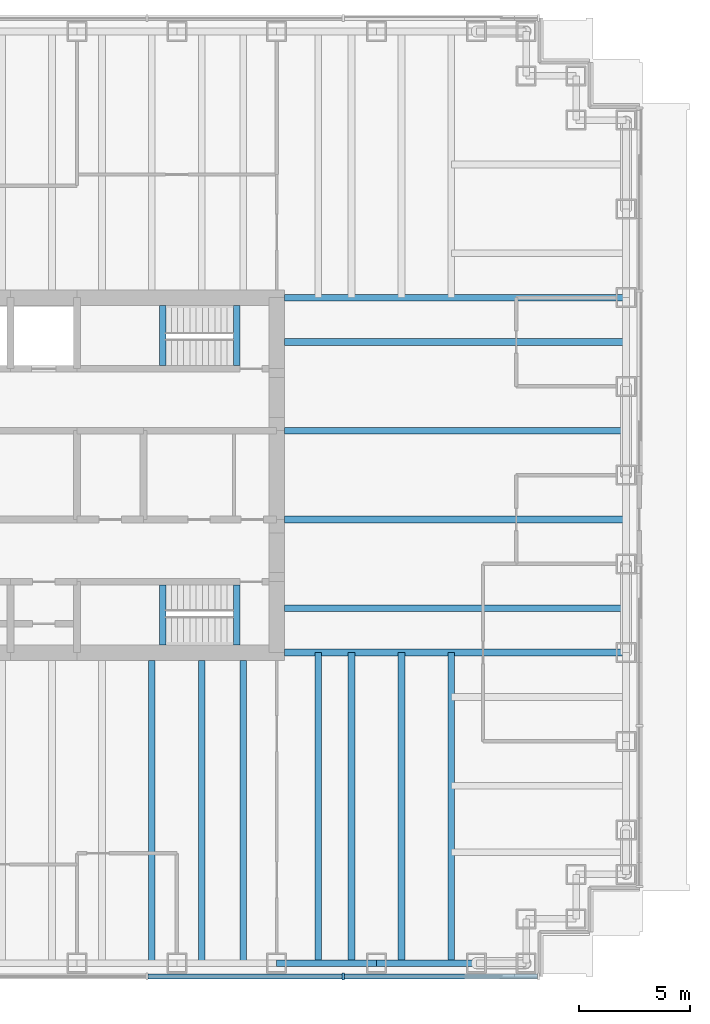
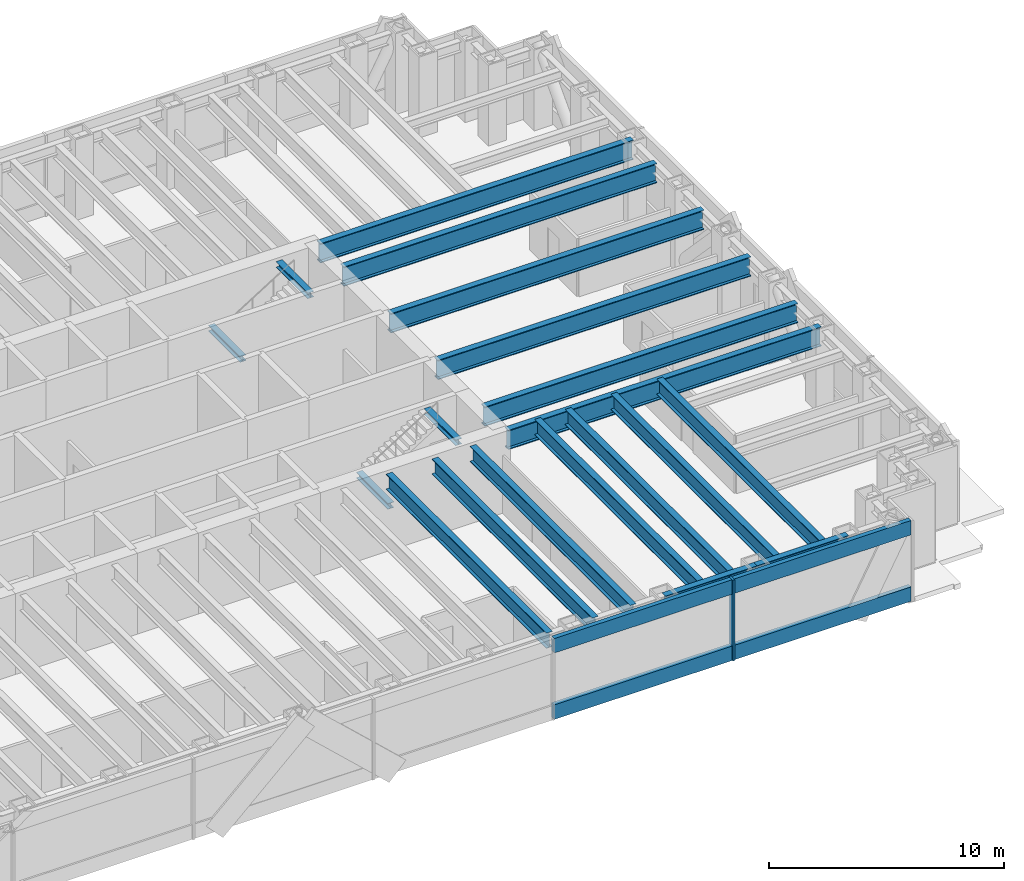
# One storey, part 3 of 12: 19 beams, 5 members, 1 element without a shape of its own.
"""IFC4 building model written with IfcOpenShell, lengths in metres."""

import ifcopenshell
import ifcopenshell.guid

model = None  # the IFC model being written
_history = None  # IfcOwnerHistory: only IFC2X3 demands one
_inside = {}  # id of a spatial element -> (the spatial element, [elements in it])
_under = {}  # id of a project, library or spatial element -> (it, [spatial elements below it])
_declared = {}  # id of a project -> (the project, [libraries it declares])
_typed = {}  # id of a type object -> (the type object, [elements of that type])
_made_of = {}  # id of a material, layer set ... -> (it, [elements and type objects made of it])


def new_model(schema):
    """Start an empty IFC model of exactly this schema.

    Asked for "IFC4X3", IfcOpenShell would pick the latest addendum, in which some entities
    have other attributes; the version numbers below select the first issue.
    IFC2X3 requires an IfcOwnerHistory on every rooted entity: one is made here for all.
    """
    global model, _history
    if schema == "IFC4X3":
        model = ifcopenshell.file(schema_version=(4, 3, 0, 0))
    else:
        model = ifcopenshell.file(schema=schema)
    _inside.clear()
    _under.clear()
    _declared.clear()
    _typed.clear()
    _made_of.clear()
    _history = None
    if model.schema == "IFC2X3":
        org = make("IfcOrganization", Name="unknown")
        user = make(
            "IfcPersonAndOrganization",
            ThePerson=make("IfcPerson", FamilyName="unknown"),
            TheOrganization=org,
        )
        app = make(
            "IfcApplication",
            ApplicationDeveloper=org,
            Version="unknown",
            ApplicationFullName="unknown",
            ApplicationIdentifier="unknown",
        )
        _history = make(
            "IfcOwnerHistory",
            OwningUser=user,
            OwningApplication=app,
            ChangeAction="ADDED",
            CreationDate=0,
        )
    return model


def make(cls, **values):
    """One entity of the class cls with the attributes given. An attribute that is None is left unset."""
    return model.create_entity(
        cls, **{name: value for name, value in values.items() if value is not None}
    )


def rooted(cls, **values):
    """An entity with a GlobalId (a new one), such as an element, a storey or a relation."""
    return make(cls, GlobalId=ifcopenshell.guid.new(), OwnerHistory=_history, **values)


def si_unit(unit_type, name, prefix=None):
    """IfcSIUnit, for example si_unit("LENGTHUNIT", "METRE", prefix="MILLI")."""
    return make("IfcSIUnit", UnitType=unit_type, Prefix=prefix, Name=name)


def assignment(units):
    """IfcUnitAssignment: the units of a project."""
    return None if units is None else make("IfcUnitAssignment", Units=units)


def point(xyz):
    """IfcCartesianPoint."""
    return None if xyz is None else make("IfcCartesianPoint", Coordinates=xyz)


def direction(xyz):
    """IfcDirection."""
    return None if xyz is None else make("IfcDirection", DirectionRatios=xyz)


def frame(location, z_axis=None, x_axis=None):
    """IfcAxis2Placement3D, a coordinate frame: its origin and axes. An axis left out is left unset."""
    return make(
        "IfcAxis2Placement3D",
        Location=point(location),
        Axis=direction(z_axis),
        RefDirection=direction(x_axis),
    )


def frame_2d(location, x_axis=None):
    """IfcAxis2Placement2D, a coordinate frame in the plane: its origin and x axis."""
    return make(
        "IfcAxis2Placement2D", Location=point(location), RefDirection=direction(x_axis)
    )


def origin():
    """The frame at (0, 0, 0) with its axes left unset."""
    return frame((0.0, 0.0, 0.0))


def origin_2d():
    """The frame at (0, 0) in the plane with its x axis left unset."""
    return frame_2d((0.0, 0.0))


def place(relative_to, where):
    """IfcLocalPlacement: puts the frame where relative to a parent placement (None: the world)."""
    return make(
        "IfcLocalPlacement", PlacementRelTo=relative_to, RelativePlacement=where
    )


def context(
    kind, dimensions, precision=None, world=None, true_north=None, identifier=None
):
    """IfcGeometricRepresentationContext, for example the 3D "Model" context."""
    return make(
        "IfcGeometricRepresentationContext",
        ContextIdentifier=identifier,
        ContextType=kind,
        CoordinateSpaceDimension=dimensions,
        Precision=precision,
        WorldCoordinateSystem=world,
        TrueNorth=true_north,
    )


def subcontext(parent, identifier, kind, view, scale=None):
    """IfcGeometricRepresentationSubContext, for example "Body" below "Model"."""
    return make(
        "IfcGeometricRepresentationSubContext",
        ContextIdentifier=identifier,
        ContextType=kind,
        ParentContext=parent,
        TargetScale=scale,
        TargetView=view,
    )


def project(units=None, contexts=None):
    """IfcProject with its units and contexts."""
    return rooted(
        "IfcProject",
        Name="project",
        RepresentationContexts=contexts,
        UnitsInContext=assignment(units),
    )


def spatial(cls, under=None, at=None, **own):
    """A site, building, storey or space (cls), placed at a placement, below another one or the project."""
    s = rooted(cls, ObjectPlacement=at, **own)
    if under is not None:
        _under.setdefault(under.id(), (under, []))[1].append(s)
    return s


def profile(cls, at=None, kind="AREA", **sizes):
    """A parametric profile (cls). Its sizes go by their IFC names, for example OverallWidth=200.0."""
    return make(cls, ProfileType=kind, Position=at, **sizes)


def rectangle(**sizes):
    """IfcRectangleProfileDef."""
    return profile("IfcRectangleProfileDef", **sizes)


def i_section(**sizes):
    """IfcIShapeProfileDef."""
    return profile("IfcIShapeProfileDef", **sizes)


def extrude(swept, where, along, depth):
    """IfcExtrudedAreaSolid: the profile swept, set in the frame where, extruded along a direction by depth."""
    return make(
        "IfcExtrudedAreaSolid",
        SweptArea=swept,
        Position=where,
        ExtrudedDirection=direction(along),
        Depth=depth,
    )


def shape(context_of_items, identifier, shape_type, items):
    """IfcShapeRepresentation: the items that make up one representation, for example the "Body"."""
    return make(
        "IfcShapeRepresentation",
        ContextOfItems=context_of_items,
        RepresentationIdentifier=identifier,
        RepresentationType=shape_type,
        Items=items,
    )


def material(Name=None, Category=None):
    """IfcMaterial."""
    return make("IfcMaterial", Name=Name, Category=Category)


def material_profile(
    of_material, cross_section, Name=None, Category=None, Priority=None
):
    """IfcMaterialProfile: a cross section and its material."""
    return make(
        "IfcMaterialProfile",
        Name=Name,
        Material=of_material,
        Profile=cross_section,
        Priority=Priority,
        Category=Category,
    )


def profile_set(profiles, Name=None, composite=None):
    """IfcMaterialProfileSet."""
    return make(
        "IfcMaterialProfileSet",
        Name=Name,
        MaterialProfiles=profiles,
        CompositeProfile=composite,
    )


def made_of(thing, what):
    """Note that an element or type object is made of a material, layer set ...; save() writes the relation."""
    if what is not None:
        _made_of.setdefault(what.id(), (what, []))[1].append(thing)
    return thing


def type_object(cls, material=None, **own):
    """A type object (cls), such as IfcWallType, which elements share."""
    return made_of(rooted(cls, **own), material)


def element(
    cls,
    number,
    at=None,
    inside=None,
    cuts=None,
    type_object=None,
    material=None,
    context=None,
    identifier="Body",
    shape_type=None,
    held_by="IfcProductDefinitionShape",
    body=None,
    shapes=None,
    **own,
):
    """One element of the class cls, such as IfcWall. Its Tag is "e" and its number.

    at: its placement. inside: the storey or other place that contains it. cuts: it is an
    opening in that element (IfcRelVoidsElement). A single representation is given by context,
    identifier, shape_type and body (its items); several are given by shapes. held_by: the class
    of the entity that holds the representations. save() writes the other relations.
    """
    e = rooted(cls, Tag="e%d" % number, ObjectPlacement=at, **own)
    if body is not None:
        shapes = [shape(context, identifier, shape_type, body)]
    if shapes is not None:
        e.Representation = make(held_by, Representations=shapes)
    if inside is not None:
        _inside.setdefault(inside.id(), (inside, []))[1].append(e)
    if cuts is not None:
        rooted(
            "IfcRelVoidsElement", RelatingBuildingElement=cuts, RelatedOpeningElement=e
        )
    if type_object is not None:
        _typed.setdefault(type_object.id(), (type_object, []))[1].append(e)
    return made_of(e, material)


def aggregate(whole, parts):
    """IfcRelAggregates: a whole, such as a stair, and the parts it consists of."""
    return rooted("IfcRelAggregates", RelatingObject=whole, RelatedObjects=parts)


def save(model, path):
    """Write the relations noted so far, then the file.

    IfcRelAggregates (storeys below a building ...), IfcRelContainedInSpatialStructure (elements
    in a storey), IfcRelDefinesByType, IfcRelAssociatesMaterial and IfcRelDeclares: one each for
    every whole, place, type object, material and project.
    """
    for whole, parts in _under.values():
        aggregate(whole, parts)
    for where, things in _inside.values():
        rooted(
            "IfcRelContainedInSpatialStructure",
            RelatedElements=things,
            RelatingStructure=where,
        )
    for kind, things in _typed.values():
        rooted("IfcRelDefinesByType", RelatedObjects=things, RelatingType=kind)
    for what, things in _made_of.values():
        rooted("IfcRelAssociatesMaterial", RelatedObjects=things, RelatingMaterial=what)
    for by, libraries in _declared.values():
        rooted("IfcRelDeclares", RelatingContext=by, RelatedDefinitions=libraries)
    model.write(path)


model = new_model("IFC4")

# Units and contexts
model_context = context("Model", 3, precision=1e-05, world=origin(), true_north=direction((0.0, 1.0)))
body_context = subcontext(model_context, "Body", "Model", "MODEL_VIEW")
ifc_project = project(units=[si_unit("LENGTHUNIT", "METRE"), si_unit("AREAUNIT", "SQUARE_METRE"), si_unit("VOLUMEUNIT", "CUBIC_METRE"), si_unit("PLANEANGLEUNIT", "RADIAN"), si_unit("MASSUNIT", "GRAM", prefix="KILO")], contexts=[model_context])

# Site, building, storey
site_placement = place(None, origin())
site = spatial("IfcSite", under=ifc_project, at=site_placement, CompositionType="ELEMENT")
building_placement = place(site_placement, origin())
building = spatial("IfcBuilding", under=site, at=building_placement, Name="Rheinbord Bourse Tower", CompositionType="ELEMENT")
storey_placement = place(building_placement, frame((0.0, 0.0, 271.10009765625)))
storey = spatial("IfcBuildingStorey", under=building, at=storey_placement, Name="L61", CompositionType="ELEMENT", Elevation=271.10009765625)

# Curtain wall, members
ifc_material_1 = material(Name="Dark glass and black aluminium", Category="aluminium")
curtain_wall_type = type_object("IfcCurtainWallType", Name="CW6 DARK GLASS CURTAIN WALL", PredefinedType="USERDEFINED", material=ifc_material_1)
curtain_wall_placement = place(storey_placement, origin())
curtain_wall = element("IfcCurtainWall", 1, at=curtain_wall_placement, inside=storey, type_object=curtain_wall_type, Name="Curtain wall CW6 S L61", ObjectType="UNITISED CURTAIN WALL", PredefinedType="USERDEFINED")
ifc_material_2 = material(Name="Black anodised aluminium", Category="aluminium")
ifc_material_profile_1 = material_profile(ifc_material_2, rectangle(XDim=0.320068359375, YDim=0.10009765625, at=origin_2d()), Name="CW6 MULLION 100x320")
ifc_profile_set_1 = profile_set([ifc_material_profile_1], Name="Black anodised aluminium")
member_type_1 = type_object("IfcMemberType", Name="CW6 BLACK MULLION", PredefinedType="MULLION", material=ifc_profile_set_1)
member_1_placement = place(storey_placement, frame((57.0, 1.39990234375, 0.0), z_axis=(0.0, 0.0, 1.0), x_axis=(0.0, 1.0, 0.0)))
member_1 = element("IfcMember", 2, at=member_1_placement, type_object=member_type_1, Name="CW6 mullion 7", PredefinedType="MULLION", context=body_context, shape_type="SweptSolid", body=[
    extrude(rectangle(XDim=0.320068359375, YDim=0.10009765625, at=origin_2d()), origin(), (0.0, 0.0, 1.0), 4.199951171875),
])
ifc_material_3 = material(Name="Black anodised aluminium", Category="aluminium")
ifc_material_profile_2 = material_profile(ifc_material_3, rectangle(XDim=0.219970703125, YDim=0.75, at=origin_2d()), Name="CW6 TRANSOM 750x220")
ifc_profile_set_2 = profile_set([ifc_material_profile_2], Name="Black anodised aluminium")
member_type_2 = type_object("IfcMemberType", Name="CW6 BLACK TRANSOM", PredefinedType="USERDEFINED", material=ifc_profile_set_2)
member_2_placement = place(storey_placement, frame((48.199951171875, 1.39990234375, 0.375), z_axis=(1.0, 0.0, 0.0), x_axis=(0.0, 1.0, 0.0)))
member_2 = element("IfcMember", 3, at=member_2_placement, type_object=member_type_2, Name="CW6 transom 6.1", ObjectType="TRANSOM", PredefinedType="USERDEFINED", context=body_context, shape_type="SweptSolid", body=[
    extrude(rectangle(XDim=0.219970703125, YDim=0.75, at=origin_2d()), origin(), (0.0, 0.0, 1.0), 8.75),
])
member_3_placement = place(storey_placement, frame((48.199951171875, 1.39990234375, 3.824951171875), z_axis=(1.0, 0.0, 0.0), x_axis=(0.0, 1.0, 0.0)))
member_3 = element("IfcMember", 4, at=member_3_placement, type_object=member_type_2, Name="CW6 transom 6.2", ObjectType="TRANSOM", PredefinedType="USERDEFINED", context=body_context, shape_type="SweptSolid", body=[
    extrude(rectangle(XDim=0.219970703125, YDim=0.75, at=origin_2d()), origin(), (0.0, 0.0, 1.0), 8.75),
])
member_4_placement = place(storey_placement, frame((57.050048828125, 1.39990234375, 0.375), z_axis=(1.0, 0.0, 0.0), x_axis=(0.0, 1.0, 0.0)))
member_4 = element("IfcMember", 5, at=member_4_placement, type_object=member_type_2, Name="CW6 transom 7.1", ObjectType="TRANSOM", PredefinedType="USERDEFINED", context=body_context, shape_type="SweptSolid", body=[
    extrude(rectangle(XDim=0.219970703125, YDim=0.75, at=origin_2d()), origin(), (0.0, 0.0, 1.0), 8.699951171875),
])
member_5_placement = place(storey_placement, frame((57.050048828125, 1.39990234375, 3.824951171875), z_axis=(1.0, 0.0, 0.0), x_axis=(0.0, 1.0, 0.0)))
member_5 = element("IfcMember", 6, at=member_5_placement, type_object=member_type_2, Name="CW6 transom 7.2", ObjectType="TRANSOM", PredefinedType="USERDEFINED", context=body_context, shape_type="SweptSolid", body=[
    extrude(rectangle(XDim=0.219970703125, YDim=0.75, at=origin_2d()), origin(), (0.0, 0.0, 1.0), 8.699951171875),
])
aggregate(curtain_wall, [member_1, member_2, member_3, member_4, member_5])

# Beams
ifc_material_4 = material(Name="Steel S460", Category="steel")
ifc_material_profile_3 = material_profile(ifc_material_4, i_section(OverallWidth=0.302001953125, OverallDepth=1.008056640625, WebThickness=0.02099609375, FlangeThickness=0.0400390625, at=origin_2d()), Name="HEM 1000")
ifc_profile_set_3 = profile_set([ifc_material_profile_3], Name="Steel S460")
beam_type_1 = type_object("IfcBeamType", Name="END BEAM HEM 1000", PredefinedType="BEAM", material=ifc_profile_set_3)
for number, where, z_axis, x_axis, name in (
    (7, (54.35009765625, 18.0, 3.535888671875), (1.0, 0.0, 0.0), (0.0, 1.0, 0.0), "End beam east 18 L62"),
    (8, (54.35009765625, 22.0, 3.535888671875), (1.0, 0.0, 0.0), (0.0, 1.0, 0.0), "End beam east 22 L62"),
    (9, (54.35009765625, 26.0, 3.535888671875), (1.0, 0.0, 0.0), (0.0, 1.0, 0.0), "End beam east 26 L62"),
    (10, (54.35009765625, 30.0, 3.535888671875), (1.0, 0.0, 0.0), (0.0, 1.0, 0.0), "End beam east 30 L62"),
):
    element("IfcBeam", number, at=place(storey_placement, frame(where, z_axis=z_axis, x_axis=x_axis)), inside=storey, type_object=beam_type_1, Name=name, PredefinedType="BEAM", context=body_context, shape_type="SweptSolid", body=[
        extrude(i_section(OverallWidth=0.302001953125, OverallDepth=1.008056640625, WebThickness=0.02099609375, FlangeThickness=0.0400390625, at=origin_2d()), origin(), (0.0, 0.0, 1.0), 15.39990234375),
    ])
ifc_material_5 = material(Name="Steel S460", Category="steel")
ifc_material_profile_4 = material_profile(ifc_material_5, i_section(OverallWidth=0.300048828125, OverallDepth=0.800048828125, WebThickness=0.017578125, FlangeThickness=0.032958984375, at=origin_2d()), Name="HEB 800")
ifc_profile_set_4 = profile_set([ifc_material_profile_4], Name="Steel S460")
beam_type_2 = type_object("IfcBeamType", Name="FLOOR BEAM HEB 800", PredefinedType="BEAM", material=ifc_profile_set_4)
for number, where, z_axis, x_axis, name in (
    (11, (48.375, 2.0, 3.639892578125), (0.0, 1.0, 0.0), (-1.0, 0.0, 0.0), "Floor beam S-45b L62"),
    (12, (50.625, 2.0, 3.639892578125), (0.0, 1.0, 0.0), (-1.0, 0.0, 0.0), "Floor beam S-49.5a L62"),
    (13, (52.5, 2.0, 3.639892578125), (0.0, 1.0, 0.0), (-1.0, 0.0, 0.0), "Floor beam S-49.5b L62"),
):
    element("IfcBeam", number, at=place(storey_placement, frame(where, z_axis=z_axis, x_axis=x_axis)), inside=storey, type_object=beam_type_2, Name=name, PredefinedType="BEAM", context=body_context, shape_type="SweptSolid", body=[
        extrude(i_section(OverallWidth=0.300048828125, OverallDepth=0.800048828125, WebThickness=0.017578125, FlangeThickness=0.032958984375, at=origin_2d()), origin(), (0.0, 0.0, 1.0), 13.64990234375),
    ])
for number, where, z_axis, x_axis, name in (
    (14, (55.875, 2.0, 3.639892578125), (0.0, 1.0, 0.0), (-1.0, 0.0, 0.0), "Floor beam S-54a L62"),
    (15, (57.375, 2.0, 3.639892578125), (0.0, 1.0, 0.0), (-1.0, 0.0, 0.0), "Floor beam S-54b L62"),
    (16, (59.625, 2.0, 3.639892578125), (0.0, 1.0, 0.0), (-1.0, 0.0, 0.0), "Floor beam S-58.5a L62"),
    (17, (61.875, 2.0, 3.639892578125), (0.0, 1.0, 0.0), (-1.0, 0.0, 0.0), "Floor beam S-58.5b L62"),
):
    element("IfcBeam", number, at=place(storey_placement, frame(where, z_axis=z_axis, x_axis=x_axis)), inside=storey, type_object=beam_type_2, Name=name, PredefinedType="BEAM", context=body_context, shape_type="SweptSolid", body=[
        extrude(i_section(OverallWidth=0.300048828125, OverallDepth=0.800048828125, WebThickness=0.017578125, FlangeThickness=0.032958984375, at=origin_2d()), origin(), (0.0, 0.0, 1.0), 14.0),
    ])
ifc_material_6 = material(Name="Steel S460", Category="steel")
ifc_material_profile_5 = material_profile(ifc_material_6, i_section(OverallWidth=0.302001953125, OverallDepth=1.008056640625, WebThickness=0.02099609375, FlangeThickness=0.0400390625, at=origin_2d()), Name="HEM 1000")
ifc_profile_set_5 = profile_set([ifc_material_profile_5], Name="Steel S460")
beam_type_3 = type_object("IfcBeamType", Name="GIRDER HEM 1000", PredefinedType="BEAM", material=ifc_profile_set_5)
for number, where, z_axis, x_axis, name in (
    (18, (54.35009765625, 16.0, 3.535888671875), (1.0, 0.0, 0.0), (0.0, 1.0, 0.0), "Girder east 16 L62"),
    (19, (54.35009765625, 32.0, 3.535888671875), (1.0, 0.0, 0.0), (0.0, 1.0, 0.0), "Girder east 32 L62"),
):
    element("IfcBeam", number, at=place(storey_placement, frame(where, z_axis=z_axis, x_axis=x_axis)), inside=storey, type_object=beam_type_3, Name=name, PredefinedType="BEAM", context=body_context, shape_type="SweptSolid", body=[
        extrude(i_section(OverallWidth=0.302001953125, OverallDepth=1.008056640625, WebThickness=0.02099609375, FlangeThickness=0.0400390625, at=origin_2d()), origin(), (0.0, 0.0, 1.0), 15.39990234375),
    ])
ifc_material_7 = material(Name="Steel S460", Category="steel")
ifc_material_profile_6 = material_profile(ifc_material_7, i_section(OverallWidth=0.300048828125, OverallDepth=0.300048828125, WebThickness=0.010986328125, FlangeThickness=0.01904296875, at=origin_2d()), Name="HEB 300")
ifc_profile_set_6 = profile_set([ifc_material_profile_6], Name="Steel S460")
beam_type_4 = type_object("IfcBeamType", Name="LANDING TRIMMER HEB 300", PredefinedType="BEAM", material=ifc_profile_set_6)
for number, where, z_axis, x_axis, name in (
    (20, (48.8701171875, 16.35009765625, 1.75), (0.0, 1.0, 0.0), (-1.0, 0.0, 0.0), "Landing trimmer ST3 L61"),
    (21, (52.199951171875, 16.35009765625, 3.889892578125), (0.0, 1.0, 0.0), (-1.0, 0.0, 0.0), "Well trimmer ST3 under L62"),
    (22, (48.8701171875, 28.949951171875, 1.75), (0.0, 1.0, 0.0), (-1.0, 0.0, 0.0), "Landing trimmer ST4 L61"),
    (23, (52.199951171875, 28.949951171875, 3.889892578125), (0.0, 1.0, 0.0), (-1.0, 0.0, 0.0), "Well trimmer ST4 under L62"),
):
    element("IfcBeam", number, at=place(storey_placement, frame(where, z_axis=z_axis, x_axis=x_axis)), inside=storey, type_object=beam_type_4, Name=name, PredefinedType="BEAM", context=body_context, shape_type="SweptSolid", body=[
        extrude(i_section(OverallWidth=0.300048828125, OverallDepth=0.300048828125, WebThickness=0.010986328125, FlangeThickness=0.01904296875, at=origin_2d()), origin(), (0.0, 0.0, 1.0), 2.699951171875),
    ])
ifc_material_8 = material(Name="Steel S460", Category="steel")
ifc_material_profile_7 = material_profile(ifc_material_8, i_section(OverallWidth=0.300048828125, OverallDepth=0.550048828125, WebThickness=0.014892578125, FlangeThickness=0.029052734375, at=origin_2d()), Name="HEB 550")
ifc_profile_set_7 = profile_set([ifc_material_profile_7], Name="Steel S460")
beam_type_5 = type_object("IfcBeamType", Name="SPANDREL HEB 550", PredefinedType="SPANDREL", material=ifc_profile_set_7)
for number, where, z_axis, x_axis, name in (
    (24, (54.0, 2.0, 3.764892578125), (1.0, 0.0, 0.0), (0.0, 1.0, 0.0), "Spandrel S-54-S-58.5 under L62"),
    (25, (58.5, 2.0, 3.764892578125), (1.0, 0.0, 0.0), (0.0, 1.0, 0.0), "Spandrel S-58.5-S-63 under L62"),
):
    element("IfcBeam", number, at=place(storey_placement, frame(where, z_axis=z_axis, x_axis=x_axis)), inside=storey, type_object=beam_type_5, Name=name, PredefinedType="SPANDREL", context=body_context, shape_type="SweptSolid", body=[
        extrude(i_section(OverallWidth=0.300048828125, OverallDepth=0.550048828125, WebThickness=0.014892578125, FlangeThickness=0.029052734375, at=origin_2d()), origin(), (0.0, 0.0, 1.0), 4.5),
    ])

save(model, "model.ifc")
